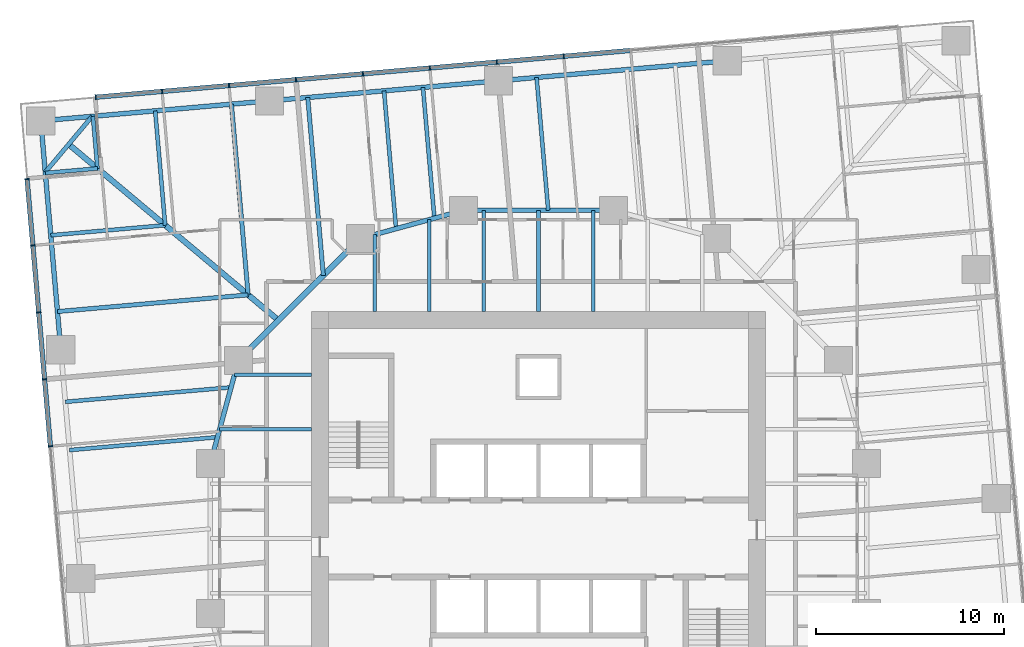
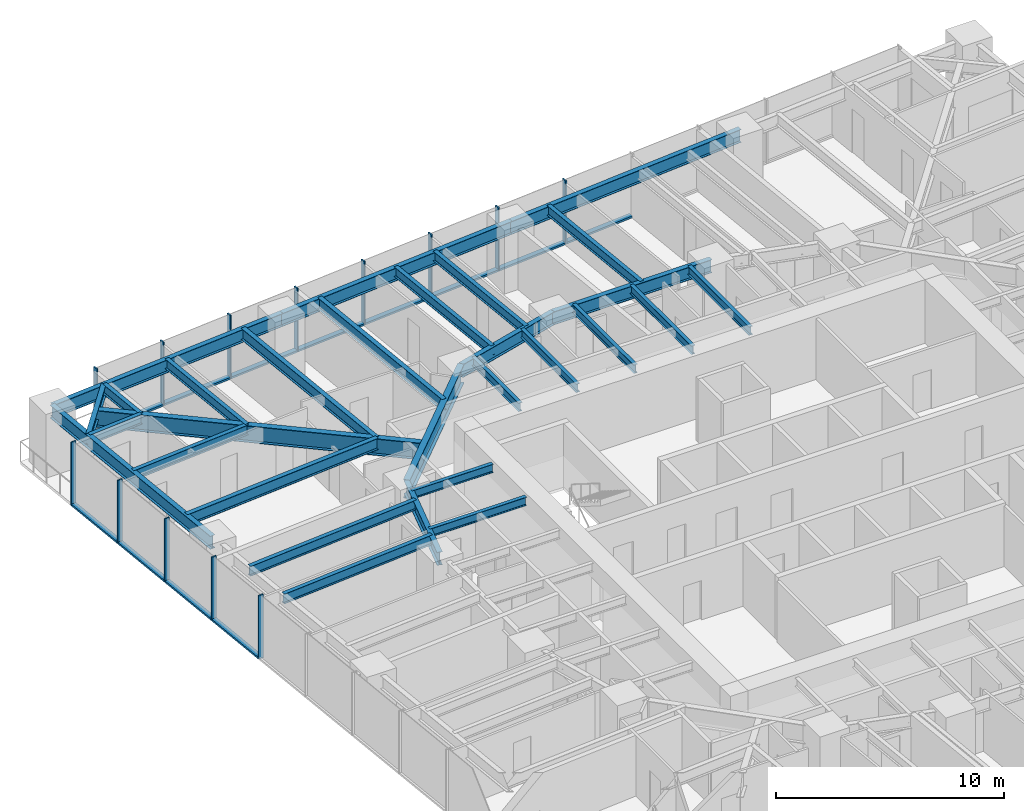
# One storey, part 5 of 14: 29 beams, 25 members, 2 elements without a shape of their own.
"""IFC4 building model written with IfcOpenShell, lengths in metres."""

from ifc_helpers import new_model, si_unit, direction, frame, origin, origin_2d, place, context, subcontext, project, spatial, rectangle, i_section, extrude, material, material_profile, profile_set, type_object, element, aggregate, save


model = new_model("IFC4")

# Units and contexts
model_context = context("Model", 3, precision=1e-05, world=origin(), true_north=direction((0.0, 1.0)))
body_context = subcontext(model_context, "Body", "Model", "MODEL_VIEW")
ifc_project = project(units=[si_unit("LENGTHUNIT", "METRE"), si_unit("AREAUNIT", "SQUARE_METRE"), si_unit("VOLUMEUNIT", "CUBIC_METRE"), si_unit("PLANEANGLEUNIT", "RADIAN"), si_unit("MASSUNIT", "GRAM", prefix="KILO")], contexts=[model_context])

# Site, building, storey
site_placement = place(None, origin())
site = spatial("IfcSite", under=ifc_project, at=site_placement, CompositionType="ELEMENT")
building_placement = place(site_placement, origin())
building = spatial("IfcBuilding", under=site, at=building_placement, Name="Torsade Residences", CompositionType="ELEMENT")
storey_placement = place(building_placement, frame((0.0, 0.0, 54.0)))
storey = spatial("IfcBuildingStorey", under=building, at=storey_placement, Name="L14", CompositionType="ELEMENT", Elevation=54.0)

# Beams
ifc_material_1 = material(Name="Steel grade 300", Category="steel")
ifc_material_profile_1 = material_profile(ifc_material_1, i_section(OverallWidth=0.300048828125, OverallDepth=0.89990234375, WebThickness=0.011962890625, FlangeThickness=0.02490234375, at=origin_2d()), Name="900WB175")
ifc_profile_set_1 = profile_set([ifc_material_profile_1], Name="Steel grade 300")
beam_type_1 = type_object("IfcBeamType", Name="CORNER GIRDER 900WB175", PredefinedType="BEAM", material=ifc_profile_set_1)
beam_1_placement = place(storey_placement, frame((14.947509765625, 51.021484375, 2.800048828125), z_axis=(0.766046281307, -0.642785419012, 0.0), x_axis=(0.642785419012, 0.766046281307, 0.0)))
element("IfcBeam", 1, at=beam_1_placement, inside=storey, type_object=beam_type_1, Name="Corner girder 13 L15", PredefinedType="BEAM", context=body_context, shape_type="SweptSolid", body=[
    extrude(i_section(OverallWidth=0.300048828125, OverallDepth=0.89990234375, WebThickness=0.011962890625, FlangeThickness=0.02490234375, at=origin_2d()), origin(), (0.0, 0.0, 1.0), 14.603515625),
])
ifc_material_2 = material(Name="Steel grade 300", Category="steel")
ifc_material_profile_2 = material_profile(ifc_material_2, i_section(OverallWidth=0.22802734375, OverallDepth=0.60205078125, WebThickness=0.010498046875, FlangeThickness=0.014892578125, FilletRadius=0.013916015625, at=origin_2d()), Name="610UB101")
ifc_profile_set_2 = profile_set([ifc_material_profile_2], Name="Steel grade 300")
beam_type_2 = type_object("IfcBeamType", Name="CORNER TRIMMER 610UB101", PredefinedType="BEAM", material=ifc_profile_set_2)
beam_2_placement = place(storey_placement, frame((13.697509765625, 49.531982421875, 2.948974609375), z_axis=(0.642804819911, 0.766030001697, 0.0), x_axis=(-0.766030001697, 0.642804819911, 0.0)))
element("IfcBeam", 2, at=beam_2_placement, inside=storey, type_object=beam_type_2, Name="Corner trimmer 13 L15", PredefinedType="BEAM", context=body_context, shape_type="SweptSolid", body=[
    extrude(i_section(OverallWidth=0.22802734375, OverallDepth=0.60205078125, WebThickness=0.010498046875, FlangeThickness=0.014892578125, FilletRadius=0.013916015625, at=origin_2d()), origin(), (0.0, 0.0, 1.0), 3.88916015625),
])

# Curtain wall, members
ifc_material_3 = material(Name="Aluminium and glass", Category="aluminium")
curtain_wall_type = type_object("IfcCurtainWallType", Name="FRITTED GLASS CURTAIN WALL LOW ZONE", PredefinedType="NOTDEFINED", material=ifc_material_3)
curtain_wall_1_placement = place(storey_placement, origin())
curtain_wall_1 = element("IfcCurtainWall", 3, at=curtain_wall_1_placement, inside=storey, type_object=curtain_wall_type, Name="Curtain wall L14 face 7", PredefinedType="NOTDEFINED")
ifc_material_4 = material(Name="Aluminium mullion", Category="aluminium")
ifc_material_profile_3 = material_profile(ifc_material_4, rectangle(XDim=0.25, YDim=0.06494140625, at=origin_2d()), Name="CURTAIN WALL MULLION 250x65")
ifc_profile_set_3 = profile_set([ifc_material_profile_3], Name="Aluminium mullion")
member_type_1 = type_object("IfcMemberType", Name="CURTAIN WALL MULLION 250x65", PredefinedType="MULLION", material=ifc_profile_set_3)
member_1_placement = place(storey_placement, frame((41.34716796875, 55.71533203125, 0.0), z_axis=(0.0, 0.0, 1.0), x_axis=(0.087155744208, -0.996194697964, 0.0)))
member_1 = element("IfcMember", 4, at=member_1_placement, type_object=member_type_1, Name="Mullion 6", PredefinedType="MULLION", context=body_context, shape_type="SweptSolid", body=[
    extrude(rectangle(XDim=0.25, YDim=0.06494140625, at=origin_2d()), origin(), (0.0, 0.0, 1.0), 3.39990234375),
])
member_2_placement = place(storey_placement, frame((37.777587890625, 55.403076171875, 0.0), z_axis=(0.0, 0.0, 1.0), x_axis=(0.087155744208, -0.996194697964, 0.0)))
member_2 = element("IfcMember", 5, at=member_2_placement, type_object=member_type_1, Name="Mullion 7", PredefinedType="MULLION", context=body_context, shape_type="SweptSolid", body=[
    extrude(rectangle(XDim=0.25, YDim=0.06494140625, at=origin_2d()), origin(), (0.0, 0.0, 1.0), 3.39990234375),
])
member_3_placement = place(storey_placement, frame((34.207763671875, 55.090576171875, 0.0), z_axis=(0.0, 0.0, 1.0), x_axis=(0.087155744208, -0.996194697964, 0.0)))
member_3 = element("IfcMember", 6, at=member_3_placement, type_object=member_type_1, Name="Mullion 8", PredefinedType="MULLION", context=body_context, shape_type="SweptSolid", body=[
    extrude(rectangle(XDim=0.25, YDim=0.06494140625, at=origin_2d()), origin(), (0.0, 0.0, 1.0), 3.39990234375),
])
member_4_placement = place(storey_placement, frame((30.63818359375, 54.7783203125, 0.0), z_axis=(0.0, 0.0, 1.0), x_axis=(0.087155744208, -0.996194697964, 0.0)))
member_4 = element("IfcMember", 7, at=member_4_placement, type_object=member_type_1, Name="Mullion 9", PredefinedType="MULLION", context=body_context, shape_type="SweptSolid", body=[
    extrude(rectangle(XDim=0.25, YDim=0.06494140625, at=origin_2d()), origin(), (0.0, 0.0, 1.0), 3.39990234375),
])
member_5_placement = place(storey_placement, frame((27.068359375, 54.466064453125, 0.0), z_axis=(0.0, 0.0, 1.0), x_axis=(0.087155744208, -0.996194697964, 0.0)))
member_5 = element("IfcMember", 8, at=member_5_placement, type_object=member_type_1, Name="Mullion 10", PredefinedType="MULLION", context=body_context, shape_type="SweptSolid", body=[
    extrude(rectangle(XDim=0.25, YDim=0.06494140625, at=origin_2d()), origin(), (0.0, 0.0, 1.0), 3.39990234375),
])
member_6_placement = place(storey_placement, frame((23.498779296875, 54.15380859375, 0.0), z_axis=(0.0, 0.0, 1.0), x_axis=(0.087155744208, -0.996194697964, 0.0)))
member_6 = element("IfcMember", 9, at=member_6_placement, type_object=member_type_1, Name="Mullion 11", PredefinedType="MULLION", context=body_context, shape_type="SweptSolid", body=[
    extrude(rectangle(XDim=0.25, YDim=0.06494140625, at=origin_2d()), origin(), (0.0, 0.0, 1.0), 3.39990234375),
])
member_7_placement = place(storey_placement, frame((19.928955078125, 53.84130859375, 0.0), z_axis=(0.0, 0.0, 1.0), x_axis=(0.087155744208, -0.996194697964, 0.0)))
member_7 = element("IfcMember", 10, at=member_7_placement, type_object=member_type_1, Name="Mullion 12", PredefinedType="MULLION", context=body_context, shape_type="SweptSolid", body=[
    extrude(rectangle(XDim=0.25, YDim=0.06494140625, at=origin_2d()), origin(), (0.0, 0.0, 1.0), 3.39990234375),
])
member_8_placement = place(storey_placement, frame((16.3916015625, 53.531982421875, 0.0), z_axis=(0.0, 0.0, 1.0), x_axis=(0.087155744208, -0.996194697964, 0.0)))
member_8 = element("IfcMember", 11, at=member_8_placement, type_object=member_type_1, Name="Mullion 13", PredefinedType="MULLION", context=body_context, shape_type="SweptSolid", body=[
    extrude(rectangle(XDim=0.25, YDim=0.06494140625, at=origin_2d()), origin(), (0.0, 0.0, 1.0), 3.39990234375),
])

curtain_wall_2_placement = place(storey_placement, origin())
curtain_wall_2 = element("IfcCurtainWall", 12, at=curtain_wall_2_placement, inside=storey, type_object=curtain_wall_type, Name="Curtain wall L14 face 10", PredefinedType="NOTDEFINED")
member_9_placement = place(storey_placement, frame((12.72607421875, 49.163330078125, 0.0), z_axis=(0.0, 0.0, 1.0), x_axis=(0.996194697964, 0.087155744208, 0.0)))
member_9 = element("IfcMember", 13, at=member_9_placement, type_object=member_type_1, Name="Mullion 1", PredefinedType="MULLION", context=body_context, shape_type="SweptSolid", body=[
    extrude(rectangle(XDim=0.25, YDim=0.06494140625, at=origin_2d()), origin(), (0.0, 0.0, 1.0), 3.39990234375),
])
member_10_placement = place(storey_placement, frame((13.035400390625, 45.6259765625, 0.0), z_axis=(0.0, 0.0, 1.0), x_axis=(0.996194697964, 0.087155744208, 0.0)))
member_10 = element("IfcMember", 14, at=member_10_placement, type_object=member_type_1, Name="Mullion 2", PredefinedType="MULLION", context=body_context, shape_type="SweptSolid", body=[
    extrude(rectangle(XDim=0.25, YDim=0.06494140625, at=origin_2d()), origin(), (0.0, 0.0, 1.0), 3.39990234375),
])
member_11_placement = place(storey_placement, frame((13.347900390625, 42.056396484375, 0.0), z_axis=(0.0, 0.0, 1.0), x_axis=(0.996194697964, 0.087155744208, 0.0)))
member_11 = element("IfcMember", 15, at=member_11_placement, type_object=member_type_1, Name="Mullion 3", PredefinedType="MULLION", context=body_context, shape_type="SweptSolid", body=[
    extrude(rectangle(XDim=0.25, YDim=0.06494140625, at=origin_2d()), origin(), (0.0, 0.0, 1.0), 3.39990234375),
])
member_12_placement = place(storey_placement, frame((13.66015625, 38.486572265625, 0.0), z_axis=(0.0, 0.0, 1.0), x_axis=(0.996194697964, 0.087155744208, 0.0)))
member_12 = element("IfcMember", 16, at=member_12_placement, type_object=member_type_1, Name="Mullion 4", PredefinedType="MULLION", context=body_context, shape_type="SweptSolid", body=[
    extrude(rectangle(XDim=0.25, YDim=0.06494140625, at=origin_2d()), origin(), (0.0, 0.0, 1.0), 3.39990234375),
])
member_13_placement = place(storey_placement, frame((13.972412109375, 34.9169921875, 0.0), z_axis=(0.0, 0.0, 1.0), x_axis=(0.996194697964, 0.087155744208, 0.0)))
member_13 = element("IfcMember", 17, at=member_13_placement, type_object=member_type_1, Name="Mullion 5", PredefinedType="MULLION", context=body_context, shape_type="SweptSolid", body=[
    extrude(rectangle(XDim=0.25, YDim=0.06494140625, at=origin_2d()), origin(), (0.0, 0.0, 1.0), 3.39990234375),
])

# Member
ifc_material_5 = material(Name="Aluminium transom", Category="aluminium")
ifc_material_profile_4 = material_profile(ifc_material_5, rectangle(XDim=0.25, YDim=0.10009765625, at=origin_2d()), Name="CURTAIN WALL TRANSOM 250x100")
ifc_profile_set_4 = profile_set([ifc_material_profile_4], Name="Aluminium transom")
member_type_2 = type_object("IfcMemberType", Name="CURTAIN WALL TRANSOM 250x100", PredefinedType="USERDEFINED", material=ifc_profile_set_4)
member_14_placement = place(storey_placement, frame((44.884521484375, 56.024658203125, 0.050048828125), z_axis=(-0.996194621295, -0.087156620531, 0.0), x_axis=(0.087156620531, -0.996194621295, 0.0)))
member_14 = element("IfcMember", 18, at=member_14_placement, type_object=member_type_2, Name="Transom 5.1", ObjectType="TRANSOM", PredefinedType="USERDEFINED", context=body_context, shape_type="SweptSolid", body=[
    extrude(rectangle(XDim=0.25, YDim=0.10009765625, at=origin_2d()), origin(), (0.0, 0.0, 1.0), 3.518310546875),
])

member_15_placement = place(storey_placement, frame((41.31494140625, 55.71240234375, 0.050048828125), z_axis=(-0.996195148363, -0.08715059597, 0.0), x_axis=(0.08715059597, -0.996195148363, 0.0)))
member_15 = element("IfcMember", 19, at=member_15_placement, type_object=member_type_2, Name="Transom 6.1", ObjectType="TRANSOM", PredefinedType="USERDEFINED", context=body_context, shape_type="SweptSolid", body=[
    extrude(rectangle(XDim=0.25, YDim=0.10009765625, at=origin_2d()), origin(), (0.0, 0.0, 1.0), 3.5185546875),
])

member_16_placement = place(storey_placement, frame((37.7451171875, 55.400146484375, 0.050048828125), z_axis=(-0.996194621295, -0.087156620531, 0.0), x_axis=(0.087156620531, -0.996194621295, 0.0)))
member_16 = element("IfcMember", 20, at=member_16_placement, type_object=member_type_2, Name="Transom 7.1", ObjectType="TRANSOM", PredefinedType="USERDEFINED", context=body_context, shape_type="SweptSolid", body=[
    extrude(rectangle(XDim=0.25, YDim=0.10009765625, at=origin_2d()), origin(), (0.0, 0.0, 1.0), 3.518310546875),
])

member_17_placement = place(storey_placement, frame((34.175537109375, 55.087890625, 0.050048828125), z_axis=(-0.996195148363, -0.08715059597, 0.0), x_axis=(0.08715059597, -0.996195148363, 0.0)))
member_17 = element("IfcMember", 21, at=member_17_placement, type_object=member_type_2, Name="Transom 8.1", ObjectType="TRANSOM", PredefinedType="USERDEFINED", context=body_context, shape_type="SweptSolid", body=[
    extrude(rectangle(XDim=0.25, YDim=0.10009765625, at=origin_2d()), origin(), (0.0, 0.0, 1.0), 3.5185546875),
])

member_18_placement = place(storey_placement, frame((30.605712890625, 54.775634765625, 0.050048828125), z_axis=(-0.996194621295, -0.087156620531, 0.0), x_axis=(0.087156620531, -0.996194621295, 0.0)))
member_18 = element("IfcMember", 22, at=member_18_placement, type_object=member_type_2, Name="Transom 9.1", ObjectType="TRANSOM", PredefinedType="USERDEFINED", context=body_context, shape_type="SweptSolid", body=[
    extrude(rectangle(XDim=0.25, YDim=0.10009765625, at=origin_2d()), origin(), (0.0, 0.0, 1.0), 3.518310546875),
])

member_19_placement = place(storey_placement, frame((27.0361328125, 54.463134765625, 0.050048828125), z_axis=(-0.996195148363, -0.08715059597, 0.0), x_axis=(0.08715059597, -0.996195148363, 0.0)))
member_19 = element("IfcMember", 23, at=member_19_placement, type_object=member_type_2, Name="Transom 10.1", ObjectType="TRANSOM", PredefinedType="USERDEFINED", context=body_context, shape_type="SweptSolid", body=[
    extrude(rectangle(XDim=0.25, YDim=0.10009765625, at=origin_2d()), origin(), (0.0, 0.0, 1.0), 3.5185546875),
])

member_20_placement = place(storey_placement, frame((23.46630859375, 54.15087890625, 0.050048828125), z_axis=(-0.996194621295, -0.087156620531, 0.0), x_axis=(0.087156620531, -0.996194621295, 0.0)))
member_20 = element("IfcMember", 24, at=member_20_placement, type_object=member_type_2, Name="Transom 11.1", ObjectType="TRANSOM", PredefinedType="USERDEFINED", context=body_context, shape_type="SweptSolid", body=[
    extrude(rectangle(XDim=0.25, YDim=0.10009765625, at=origin_2d()), origin(), (0.0, 0.0, 1.0), 3.518310546875),
])

member_21_placement = place(storey_placement, frame((19.896728515625, 53.838623046875, 0.050048828125), z_axis=(-0.996191284475, -0.08719475177, 0.0), x_axis=(0.08719475177, -0.996191284475, 0.0)))
member_21 = element("IfcMember", 25, at=member_21_placement, type_object=member_type_2, Name="Transom 12.1", ObjectType="TRANSOM", PredefinedType="USERDEFINED", context=body_context, shape_type="SweptSolid", body=[
    extrude(rectangle(XDim=0.25, YDim=0.10009765625, at=origin_2d()), origin(), (0.0, 0.0, 1.0), 3.48583984375),
])

aggregate(curtain_wall_1, [member_1, member_2, member_3, member_4, member_5, member_6, member_7, member_8, member_14, member_15, member_16, member_17, member_18, member_19, member_20, member_21])

member_22_placement = place(storey_placement, frame((12.728759765625, 49.130859375, 0.050048828125), z_axis=(0.0872008357, -0.996190751941, 0.0), x_axis=(0.996190751941, 0.0872008357, 0.0)))
member_22 = element("IfcMember", 26, at=member_22_placement, type_object=member_type_2, Name="Transom 1.1", ObjectType="TRANSOM", PredefinedType="USERDEFINED", context=body_context, shape_type="SweptSolid", body=[
    extrude(rectangle(XDim=0.25, YDim=0.10009765625, at=origin_2d()), origin(), (0.0, 0.0, 1.0), 3.485595703125),
])

member_23_placement = place(storey_placement, frame((13.038330078125, 45.59375, 0.050048828125), z_axis=(0.08715059597, -0.996195148363, 0.0), x_axis=(0.996195148363, 0.08715059597, 0.0)))
member_23 = element("IfcMember", 27, at=member_23_placement, type_object=member_type_2, Name="Transom 2.1", ObjectType="TRANSOM", PredefinedType="USERDEFINED", context=body_context, shape_type="SweptSolid", body=[
    extrude(rectangle(XDim=0.25, YDim=0.10009765625, at=origin_2d()), origin(), (0.0, 0.0, 1.0), 3.5185546875),
])

member_24_placement = place(storey_placement, frame((13.3505859375, 42.02392578125, 0.050048828125), z_axis=(0.087156620531, -0.996194621295, 0.0), x_axis=(0.996194621295, 0.087156620531, 0.0)))
member_24 = element("IfcMember", 28, at=member_24_placement, type_object=member_type_2, Name="Transom 3.1", ObjectType="TRANSOM", PredefinedType="USERDEFINED", context=body_context, shape_type="SweptSolid", body=[
    extrude(rectangle(XDim=0.25, YDim=0.10009765625, at=origin_2d()), origin(), (0.0, 0.0, 1.0), 3.518310546875),
])

member_25_placement = place(storey_placement, frame((13.662841796875, 38.454345703125, 0.050048828125), z_axis=(0.08715059597, -0.996195148363, 0.0), x_axis=(0.996195148363, 0.08715059597, 0.0)))
member_25 = element("IfcMember", 29, at=member_25_placement, type_object=member_type_2, Name="Transom 4.1", ObjectType="TRANSOM", PredefinedType="USERDEFINED", context=body_context, shape_type="SweptSolid", body=[
    extrude(rectangle(XDim=0.25, YDim=0.10009765625, at=origin_2d()), origin(), (0.0, 0.0, 1.0), 3.5185546875),
])

aggregate(curtain_wall_2, [member_9, member_10, member_11, member_12, member_13, member_22, member_23, member_24, member_25])

# Beams
ifc_material_6 = material(Name="Steel grade 300", Category="steel")
ifc_material_profile_5 = material_profile(ifc_material_6, i_section(OverallWidth=0.25, OverallDepth=0.699951171875, WebThickness=0.010009765625, FlangeThickness=0.02001953125, at=origin_2d()), Name="700WB130")
ifc_profile_set_5 = profile_set([ifc_material_profile_5], Name="Steel grade 300")
beam_type_3 = type_object("IfcBeamType", Name="EDGE BEAM 700WB130", PredefinedType="SPANDREL", material=ifc_profile_set_5)
for number, where, z_axis, x_axis, name in (
    (30, (50.068115234375, 55.474365234375, 2.89990234375), (-0.996194907201, -0.08715335259, 0.0), (0.08715335259, -0.996194907201, 0.0), "Edge beam 10 L15"),
    (31, (37.86474609375, 54.40673828125, 2.89990234375), (-0.996194907201, -0.08715335259, 0.0), (0.08715335259, -0.996194907201, 0.0), "Edge beam 11 L15"),
    (32, (25.661376953125, 53.339111328125, 2.89990234375), (-0.996194907201, -0.08715335259, 0.0), (0.08715335259, -0.996194907201, 0.0), "Edge beam 12 L15"),
    (33, (13.4580078125, 52.271484375, 2.89990234375), (0.08715335259, -0.996194907201, 0.0), (0.996194907201, 0.08715335259, 0.0), "Edge beam 13 L15"),
):
    element("IfcBeam", number, at=place(storey_placement, frame(where, z_axis=z_axis, x_axis=x_axis)), inside=storey, type_object=beam_type_3, Name=name, PredefinedType="SPANDREL", context=body_context, shape_type="SweptSolid", body=[
        extrude(i_section(OverallWidth=0.25, OverallDepth=0.699951171875, WebThickness=0.010009765625, FlangeThickness=0.02001953125, at=origin_2d()), origin(), (0.0, 0.0, 1.0), 12.25),
    ])
ifc_material_7 = material(Name="Steel grade 300", Category="steel")
ifc_material_profile_6 = material_profile(ifc_material_7, i_section(OverallWidth=0.18994140625, OverallDepth=0.4541015625, WebThickness=0.008544921875, FlangeThickness=0.0126953125, FilletRadius=0.011474609375, at=origin_2d()), Name="460UB67.1")
ifc_profile_set_6 = profile_set([ifc_material_profile_6], Name="Steel grade 300")
beam_type_4 = type_object("IfcBeamType", Name="INNER FLOOR BEAM 460UB67.1", PredefinedType="JOIST", material=ifc_profile_set_6)
beam_3_placement = place(storey_placement, frame((31.262451171875, 42.10009765625, 3.02294921875), z_axis=(0.0, 1.0, 0.0), x_axis=(-1.0, 0.0, 0.0)))
element("IfcBeam", 34, at=beam_3_placement, inside=storey, type_object=beam_type_4, Name="Inner floor beam IN01 L15", PredefinedType="JOIST", context=body_context, shape_type="SweptSolid", body=[
    extrude(i_section(OverallWidth=0.18994140625, OverallDepth=0.4541015625, WebThickness=0.008544921875, FlangeThickness=0.0126953125, FilletRadius=0.011474609375, at=origin_2d()), origin(), (0.0, 0.0, 1.0), 4.10791015625),
])
beam_4_placement = place(storey_placement, frame((34.175048828125, 42.10009765625, 3.02294921875), z_axis=(0.0, 1.0, 0.0), x_axis=(-1.0, 0.0, 0.0)))
element("IfcBeam", 35, at=beam_4_placement, inside=storey, type_object=beam_type_4, Name="Inner floor beam IN02 L15", PredefinedType="JOIST", context=body_context, shape_type="SweptSolid", body=[
    extrude(i_section(OverallWidth=0.18994140625, OverallDepth=0.4541015625, WebThickness=0.008544921875, FlangeThickness=0.0126953125, FilletRadius=0.011474609375, at=origin_2d()), origin(), (0.0, 0.0, 1.0), 4.902099609375),
])
for number, where, z_axis, x_axis, name in (
    (36, (37.08740234375, 42.10009765625, 3.02294921875), (0.0, 1.0, 0.0), (-1.0, 0.0, 0.0), "Inner floor beam IN03 L15"),
    (37, (40.0, 42.10009765625, 3.02294921875), (0.0, 1.0, 0.0), (-1.0, 0.0, 0.0), "Inner floor beam IN04 L15"),
    (38, (42.91259765625, 42.10009765625, 3.02294921875), (0.0, 1.0, 0.0), (-1.0, 0.0, 0.0), "Inner floor beam IN05 L15"),
):
    element("IfcBeam", number, at=place(storey_placement, frame(where, z_axis=z_axis, x_axis=x_axis)), inside=storey, type_object=beam_type_4, Name=name, PredefinedType="JOIST", context=body_context, shape_type="SweptSolid", body=[
        extrude(i_section(OverallWidth=0.18994140625, OverallDepth=0.4541015625, WebThickness=0.008544921875, FlangeThickness=0.0126953125, FilletRadius=0.011474609375, at=origin_2d()), origin(), (0.0, 0.0, 1.0), 5.39990234375),
    ])
beam_5_placement = place(storey_placement, frame((27.89990234375, 38.737548828125, 3.02294921875), z_axis=(-1.0, 0.0, 0.0), x_axis=(0.0, -1.0, 0.0)))
element("IfcBeam", 39, at=beam_5_placement, inside=storey, type_object=beam_type_4, Name="Inner floor beam IW01 L15", PredefinedType="JOIST", context=body_context, shape_type="SweptSolid", body=[
    extrude(i_section(OverallWidth=0.18994140625, OverallDepth=0.4541015625, WebThickness=0.008544921875, FlangeThickness=0.0126953125, FilletRadius=0.011474609375, at=origin_2d()), origin(), (0.0, 0.0, 1.0), 4.10791015625),
])
beam_6_placement = place(storey_placement, frame((27.89990234375, 35.824951171875, 3.02294921875), z_axis=(-1.0, 0.0, 0.0), x_axis=(0.0, -1.0, 0.0)))
element("IfcBeam", 40, at=beam_6_placement, inside=storey, type_object=beam_type_4, Name="Inner floor beam IW02 L15", PredefinedType="JOIST", context=body_context, shape_type="SweptSolid", body=[
    extrude(i_section(OverallWidth=0.18994140625, OverallDepth=0.4541015625, WebThickness=0.008544921875, FlangeThickness=0.0126953125, FilletRadius=0.011474609375, at=origin_2d()), origin(), (0.0, 0.0, 1.0), 4.902099609375),
])
ifc_material_8 = material(Name="Steel grade 300", Category="steel")
ifc_material_profile_7 = material_profile(ifc_material_8, i_section(OverallWidth=0.300048828125, OverallDepth=1.0, WebThickness=0.01611328125, FlangeThickness=0.028076171875, at=origin_2d()), Name="1000WB215")
ifc_profile_set_7 = profile_set([ifc_material_profile_7], Name="Steel grade 300")
beam_type_5 = type_object("IfcBeamType", Name="RING CORNER GIRDER 1000WB215", PredefinedType="BEAM", material=ifc_profile_set_7)
beam_7_placement = place(storey_placement, frame((30.5, 46.0, 2.75), z_axis=(-0.707106781187, -0.707106781187, 0.0), x_axis=(0.707106781187, -0.707106781187, 0.0)))
element("IfcBeam", 41, at=beam_7_placement, inside=storey, type_object=beam_type_5, Name="Ring girder IR07 L15", PredefinedType="BEAM", context=body_context, shape_type="SweptSolid", body=[
    extrude(i_section(OverallWidth=0.300048828125, OverallDepth=1.0, WebThickness=0.01611328125, FlangeThickness=0.028076171875, at=origin_2d()), origin(), (0.0, 0.0, 1.0), 9.1923828125),
])
ifc_material_9 = material(Name="Steel grade 300", Category="steel")
ifc_material_profile_8 = material_profile(ifc_material_9, i_section(OverallWidth=0.25, OverallDepth=0.699951171875, WebThickness=0.010009765625, FlangeThickness=0.02001953125, at=origin_2d()), Name="700WB130")
ifc_profile_set_8 = profile_set([ifc_material_profile_8], Name="Steel grade 300")
beam_type_6 = type_object("IfcBeamType", Name="RING GIRDER 700WB130", PredefinedType="BEAM", material=ifc_profile_set_8)
beam_8_placement = place(storey_placement, frame((44.0, 47.5, 2.89990234375), z_axis=(-1.0, 0.0, 0.0), x_axis=(0.0, -1.0, 0.0)))
element("IfcBeam", 42, at=beam_8_placement, inside=storey, type_object=beam_type_6, Name="Ring girder IR05 L15", PredefinedType="BEAM", context=body_context, shape_type="SweptSolid", body=[
    extrude(i_section(OverallWidth=0.25, OverallDepth=0.699951171875, WebThickness=0.010009765625, FlangeThickness=0.02001953125, at=origin_2d()), origin(), (0.0, 0.0, 1.0), 8.0),
])
for number, where, z_axis, x_axis, name in (
    (43, (36.0, 47.5, 2.89990234375), (-0.964763821238, -0.263117405792, 0.0), (0.263117405792, -0.964763821238, 0.0), "Ring girder IR06 L15"),
    (44, (24.0, 39.5, 2.89990234375), (-0.263117405792, -0.964763821238, 0.0), (0.964763821238, -0.263117405792, 0.0), "Ring girder IR08 L15"),
):
    element("IfcBeam", number, at=place(storey_placement, frame(where, z_axis=z_axis, x_axis=x_axis)), inside=storey, type_object=beam_type_6, Name=name, PredefinedType="BEAM", context=body_context, shape_type="SweptSolid", body=[
        extrude(i_section(OverallWidth=0.25, OverallDepth=0.699951171875, WebThickness=0.010009765625, FlangeThickness=0.02001953125, at=origin_2d()), origin(), (0.0, 0.0, 1.0), 5.700927734375),
    ])
ifc_material_10 = material(Name="Steel grade 300", Category="steel")
ifc_material_profile_9 = material_profile(ifc_material_10, i_section(OverallWidth=0.208984375, OverallDepth=0.528076171875, WebThickness=0.009521484375, FlangeThickness=0.01318359375, FilletRadius=0.013916015625, at=origin_2d()), Name="530UB82.0")
ifc_profile_set_9 = profile_set([ifc_material_profile_9], Name="Steel grade 300")
beam_type_7 = type_object("IfcBeamType", Name="SECONDARY BEAM 530UB82.0", PredefinedType="JOIST", material=ifc_profile_set_9)
beam_9_placement = place(storey_placement, frame((39.898681640625, 54.584716796875, 2.986083984375), z_axis=(0.087127345813, -0.996197182094, 0.0), x_axis=(0.996197182094, 0.087127345813, 0.0)))
element("IfcBeam", 45, at=beam_9_placement, inside=storey, type_object=beam_type_7, Name="Floor beam FN06 L15", PredefinedType="JOIST", context=body_context, shape_type="SweptSolid", body=[
    extrude(i_section(OverallWidth=0.208984375, OverallDepth=0.528076171875, WebThickness=0.009521484375, FlangeThickness=0.01318359375, FilletRadius=0.013916015625, at=origin_2d()), origin(), (0.0, 0.0, 1.0), 7.11181640625),
])
beam_10_placement = place(storey_placement, frame((33.83837890625, 54.054443359375, 2.986083984375), z_axis=(0.087175598142, -0.99619296077, 0.0), x_axis=(0.99619296077, 0.087175598142, 0.0)))
element("IfcBeam", 46, at=beam_10_placement, inside=storey, type_object=beam_type_7, Name="Floor beam FN07 L15", PredefinedType="JOIST", context=body_context, shape_type="SweptSolid", body=[
    extrude(i_section(OverallWidth=0.208984375, OverallDepth=0.528076171875, WebThickness=0.009521484375, FlangeThickness=0.01318359375, FilletRadius=0.013916015625, at=origin_2d()), origin(), (0.0, 0.0, 1.0), 7.004150390625),
])
beam_11_placement = place(storey_placement, frame((31.762939453125, 53.873046875, 2.986083984375), z_axis=(0.087156282128, -0.996194650902, 0.0), x_axis=(0.996194650902, 0.087156282128, 0.0)))
element("IfcBeam", 47, at=beam_11_placement, inside=storey, type_object=beam_type_7, Name="Floor beam FN08 L15", PredefinedType="JOIST", context=body_context, shape_type="SweptSolid", body=[
    extrude(i_section(OverallWidth=0.208984375, OverallDepth=0.528076171875, WebThickness=0.009521484375, FlangeThickness=0.01318359375, FilletRadius=0.013916015625, at=origin_2d()), origin(), (0.0, 0.0, 1.0), 7.381103515625),
])
beam_12_placement = place(storey_placement, frame((19.5595703125, 52.80517578125, 2.986083984375), z_axis=(0.087174861801, -0.996193025206, 0.0), x_axis=(0.996193025206, 0.087174861801, 0.0)))
element("IfcBeam", 48, at=beam_12_placement, inside=storey, type_object=beam_type_7, Name="Floor beam FN11 L15", PredefinedType="JOIST", context=body_context, shape_type="SweptSolid", body=[
    extrude(i_section(OverallWidth=0.208984375, OverallDepth=0.528076171875, WebThickness=0.009521484375, FlangeThickness=0.01318359375, FilletRadius=0.013916015625, at=origin_2d()), origin(), (0.0, 0.0, 1.0), 6.125),
])
for number, where, z_axis, x_axis, name in (
    (49, (16.239013671875, 52.5146484375, 2.986083984375), (0.087105111923, -0.996199126418, 0.0), (0.996199126418, 0.087105111923, 0.0), "Floor beam FN12 L15"),
    (50, (13.701171875, 49.490478515625, 2.986083984375), (0.996199126418, 0.087105111923, 0.0), (-0.087105111923, 0.996199126418, 0.0), "Floor beam FW01 L15"),
):
    element("IfcBeam", number, at=place(storey_placement, frame(where, z_axis=z_axis, x_axis=x_axis)), inside=storey, type_object=beam_type_7, Name=name, PredefinedType="JOIST", context=body_context, shape_type="SweptSolid", body=[
        extrude(i_section(OverallWidth=0.208984375, OverallDepth=0.528076171875, WebThickness=0.009521484375, FlangeThickness=0.01318359375, FilletRadius=0.013916015625, at=origin_2d()), origin(), (0.0, 0.0, 1.0), 2.79150390625),
    ])
beam_13_placement = place(storey_placement, frame((13.99169921875, 46.169677734375, 2.986083984375), z_axis=(0.996193328106, 0.087171400335, 0.0), x_axis=(-0.087171400335, 0.996193328106, 0.0)))
element("IfcBeam", 51, at=beam_13_placement, inside=storey, type_object=beam_type_7, Name="Floor beam FW02 L15", PredefinedType="JOIST", context=body_context, shape_type="SweptSolid", body=[
    extrude(i_section(OverallWidth=0.208984375, OverallDepth=0.528076171875, WebThickness=0.009521484375, FlangeThickness=0.01318359375, FilletRadius=0.013916015625, at=origin_2d()), origin(), (0.0, 0.0, 1.0), 6.125244140625),
])
beam_14_placement = place(storey_placement, frame((14.768798828125, 37.287109375, 2.986083984375), z_axis=(0.996195539225, 0.08714612802, 0.0), x_axis=(-0.08714612802, 0.996195539225, 0.0)))
element("IfcBeam", 52, at=beam_14_placement, inside=storey, type_object=beam_type_7, Name="Floor beam FW04 L15", PredefinedType="JOIST", context=body_context, shape_type="SweptSolid", body=[
    extrude(i_section(OverallWidth=0.208984375, OverallDepth=0.528076171875, WebThickness=0.009521484375, FlangeThickness=0.01318359375, FilletRadius=0.013916015625, at=origin_2d()), origin(), (0.0, 0.0, 1.0), 8.872314453125),
])
beam_15_placement = place(storey_placement, frame((14.994140625, 34.713623046875, 2.986083984375), z_axis=(0.996194520605, 0.087157771408, 0.0), x_axis=(-0.087157771408, 0.996194520605, 0.0)))
element("IfcBeam", 53, at=beam_15_placement, inside=storey, type_object=beam_type_7, Name="Floor beam FW05 L15", PredefinedType="JOIST", context=body_context, shape_type="SweptSolid", body=[
    extrude(i_section(OverallWidth=0.208984375, OverallDepth=0.528076171875, WebThickness=0.009521484375, FlangeThickness=0.01318359375, FilletRadius=0.013916015625, at=origin_2d()), origin(), (0.0, 0.0, 1.0), 7.918701171875),
])
ifc_material_11 = material(Name="Steel grade 300", Category="steel")
ifc_material_profile_10 = material_profile(ifc_material_11, i_section(OverallWidth=0.22900390625, OverallDepth=0.612060546875, WebThickness=0.011962890625, FlangeThickness=0.01953125, FilletRadius=0.013916015625, at=origin_2d()), Name="610UB125")
ifc_profile_set_10 = profile_set([ifc_material_profile_10], Name="Steel grade 300")
beam_type_8 = type_object("IfcBeamType", Name="SECONDARY BEAM 610UB125", PredefinedType="JOIST", material=ifc_profile_set_10)
beam_16_placement = place(storey_placement, frame((27.6953125, 53.51708984375, 2.944091796875), z_axis=(0.087148195942, -0.996195358323, 0.0), x_axis=(0.996195358323, 0.087148195942, 0.0)))
element("IfcBeam", 54, at=beam_16_placement, inside=storey, type_object=beam_type_8, Name="Floor beam FN09 L15", PredefinedType="JOIST", context=body_context, shape_type="SweptSolid", body=[
    extrude(i_section(OverallWidth=0.22900390625, OverallDepth=0.612060546875, WebThickness=0.011962890625, FlangeThickness=0.01953125, FilletRadius=0.013916015625, at=origin_2d()), origin(), (0.0, 0.0, 1.0), 9.527587890625),
])
for number, where, z_axis, x_axis, name in (
    (55, (23.62744140625, 53.1611328125, 2.944091796875), (0.087149742944, -0.996195222988, 0.0), (0.996195222988, 0.087149742944, 0.0), "Floor beam FN10 L15"),
    (56, (14.34765625, 42.10205078125, 2.944091796875), (0.996195222988, 0.087149742944, 0.0), (-0.087149742944, 0.996195222988, 0.0), "Floor beam FW03 L15"),
):
    element("IfcBeam", number, at=place(storey_placement, frame(where, z_axis=z_axis, x_axis=x_axis)), inside=storey, type_object=beam_type_8, Name=name, PredefinedType="JOIST", context=body_context, shape_type="SweptSolid", body=[
        extrude(i_section(OverallWidth=0.22900390625, OverallDepth=0.612060546875, WebThickness=0.011962890625, FlangeThickness=0.01953125, FilletRadius=0.013916015625, at=origin_2d()), origin(), (0.0, 0.0, 1.0), 10.208251953125),
    ])

save(model, "model.ifc")
